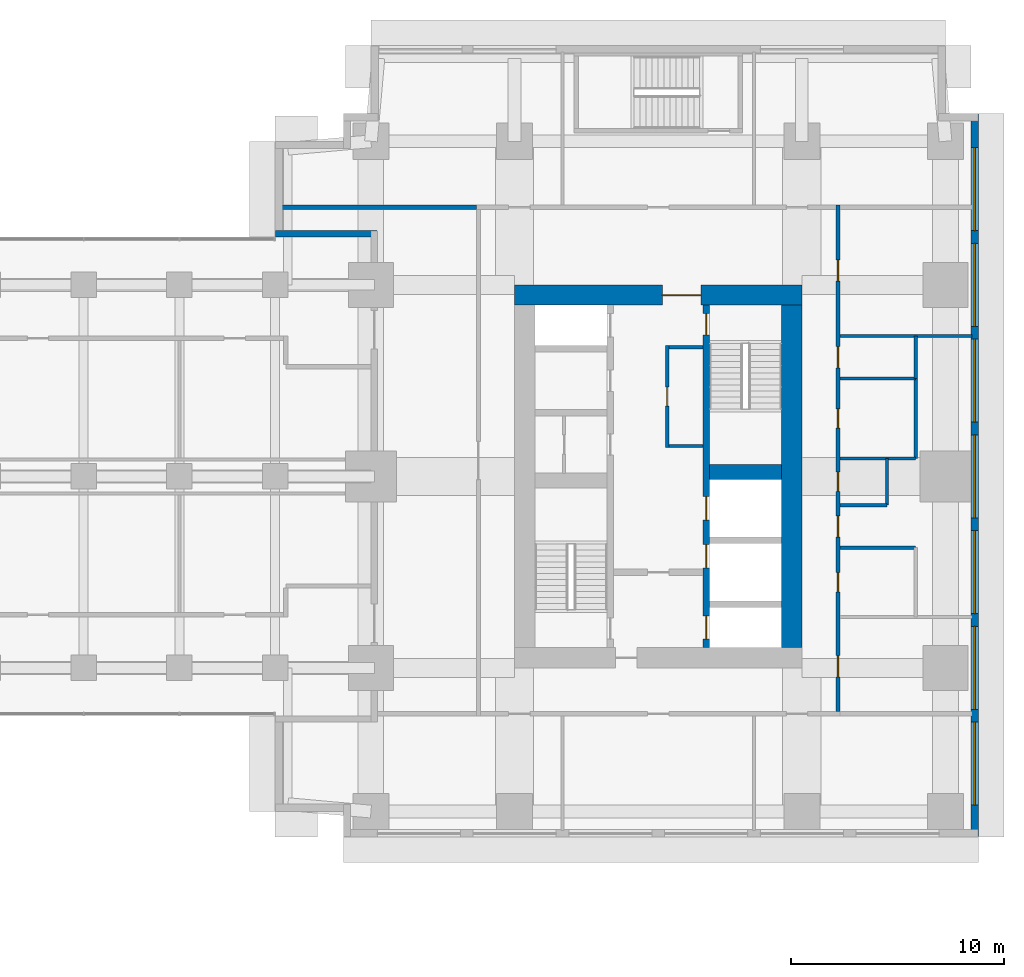
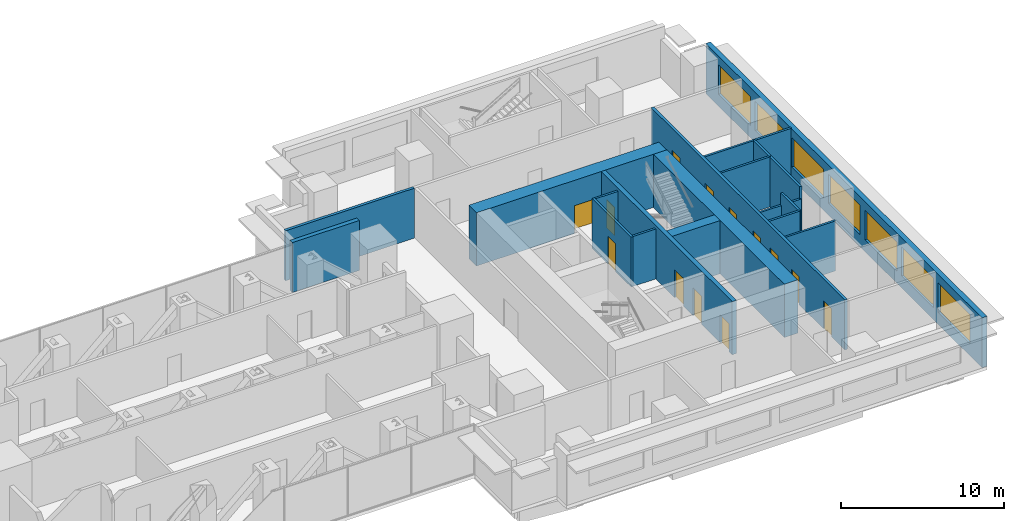
# One storey, part 11 of 16: 19 walls, 13 doors, 7 windows, 20 openings.
"""IFC4 building model written with IfcOpenShell, lengths in metres."""

from ifc_helpers import new_model, si_unit, direction, frame, frame_2d, origin, place, context, subcontext, project, spatial, rectangle, extrude, material, layer, layer_set, type_object, element, fill, save


model = new_model("IFC4")

# Units and contexts
model_context = context("Model", 3, precision=1e-05, world=origin(), true_north=direction((0.0, 1.0)))
body_context = subcontext(model_context, "Body", "Model", "MODEL_VIEW")
ifc_project = project(units=[si_unit("LENGTHUNIT", "METRE"), si_unit("AREAUNIT", "SQUARE_METRE"), si_unit("VOLUMEUNIT", "CUBIC_METRE"), si_unit("PLANEANGLEUNIT", "RADIAN"), si_unit("MASSUNIT", "GRAM", prefix="KILO")], contexts=[model_context])

# Site, building, storey
site_placement = place(None, origin())
site = spatial("IfcSite", under=ifc_project, at=site_placement, CompositionType="ELEMENT")
building_placement = place(site_placement, origin())
building = spatial("IfcBuilding", under=site, at=building_placement, Name="Namib Vertical Campus", CompositionType="ELEMENT")
storey_placement = place(building_placement, frame((0.0, 0.0, 113.0)))
storey = spatial("IfcBuildingStorey", under=building, at=storey_placement, Name="L26", CompositionType="ELEMENT", Elevation=113.0)

# Wall, openings, doors
ifc_material_1 = material(Name="Concrete C60/75", Category="concrete")
ifc_layer_1 = layer(ifc_material_1, 0.300048828125)
ifc_layer_set_1 = layer_set([ifc_layer_1], Name="Concrete C60/75")
wall_type_1 = type_object("IfcWallType", Name="Core inner wall 300", PredefinedType="SHEAR", material=ifc_layer_set_1)
wall_1_placement = place(storey_placement, frame((83.25, 12.199951171875, 0.0), z_axis=(0.0, 0.0, 1.0), x_axis=(0.0, 1.0, 0.0)))
wall_1 = element("IfcWall", 1, at=wall_1_placement, inside=storey, type_object=wall_type_1, Name="Core inner wall B L26 W2", PredefinedType="SHEAR", context=body_context, shape_type="SweptSolid", body=[
    extrude(rectangle(XDim=16.10009765625, YDim=0.300048828125, at=frame_2d((8.050048828125, 0.0))), origin(), (0.0, 0.0, 1.0), 4.0),
])
opening_1_placement = place(wall_1_placement, frame((14.699951171875, 0.0, 0.0)))
opening_1 = element("IfcOpeningElement", 2, at=opening_1_placement, cuts=wall_1, Name="Opening FD1", PredefinedType="OPENING", context=body_context, shape_type="SweptSolid", body=[
    extrude(rectangle(XDim=1.0, YDim=2.10009765625, at=frame_2d((0.5, 1.050048828125))), frame((0.0, 0.159912109375, 0.0), z_axis=(0.0, -1.0, 0.0), x_axis=(1.0, 0.0, 0.0)), (0.0, 0.0, 1.0), 0.320068359375),
])
opening_2_placement = place(wall_1_placement, frame((0.39990234375, 0.0, 0.0)))
opening_2 = element("IfcOpeningElement", 3, at=opening_2_placement, cuts=wall_1, Name="Opening LD1", PredefinedType="OPENING", context=body_context, shape_type="SweptSolid", body=[
    extrude(rectangle(XDim=1.10009765625, YDim=2.10009765625, at=frame_2d((0.550048828125, 1.050048828125))), frame((0.0, 0.159912109375, 0.0), z_axis=(0.0, -1.0, 0.0), x_axis=(1.0, 0.0, 0.0)), (0.0, 0.0, 1.0), 0.320068359375),
])
opening_3_placement = place(wall_1_placement, frame((3.75, 0.0, 0.0)))
opening_3 = element("IfcOpeningElement", 4, at=opening_3_placement, cuts=wall_1, Name="Opening LD1", PredefinedType="OPENING", context=body_context, shape_type="SweptSolid", body=[
    extrude(rectangle(XDim=1.10009765625, YDim=2.10009765625, at=frame_2d((0.550048828125, 1.050048828125))), frame((0.0, 0.159912109375, 0.0), z_axis=(0.0, -1.0, 0.0), x_axis=(1.0, 0.0, 0.0)), (0.0, 0.0, 1.0), 0.320068359375),
])
opening_4_placement = place(wall_1_placement, frame((6.0, 0.0, 0.0)))
opening_4 = element("IfcOpeningElement", 5, at=opening_4_placement, cuts=wall_1, Name="Opening LD1", PredefinedType="OPENING", context=body_context, shape_type="SweptSolid", body=[
    extrude(rectangle(XDim=1.10009765625, YDim=2.10009765625, at=frame_2d((0.550048828125, 1.050048828125))), frame((0.0, 0.159912109375, 0.0), z_axis=(0.0, -1.0, 0.0), x_axis=(1.0, 0.0, 0.0)), (0.0, 0.0, 1.0), 0.320068359375),
])
ifc_material_2 = material(Name="Steel fire door", Category="steel")
door_type_1 = type_object("IfcDoorType", Name="Fire door 1000x2100", OperationType="SINGLE_SWING_RIGHT", PredefinedType="DOOR", material=ifc_material_2)
door_1_placement = place(opening_1_placement, frame((1.0, 0.0, 0.0), z_axis=(0.0, 0.0, 1.0), x_axis=(-1.0, 0.0, 0.0)))
door_1 = element("IfcDoor", 6, at=door_1_placement, inside=storey, type_object=door_type_1, Name="Stair door FD1 B L26 S2", OperationType="SINGLE_SWING_LEFT", OverallHeight=2.10009765625, OverallWidth=1.0, PredefinedType="DOOR", context=body_context, shape_type="SweptSolid", body=[
    extrude(rectangle(XDim=1.0, YDim=2.10009765625, at=frame_2d((0.5, 1.050048828125))), frame((0.0, 0.02490234375, 0.0), z_axis=(0.0, -1.0, 0.0), x_axis=(1.0, 0.0, 0.0)), (0.0, 0.0, 1.0), 0.050048828125),
])
fill(opening_1, door_1)
ifc_material_3 = material(Name="Stainless steel lift door", Category="steel")
door_type_2 = type_object("IfcDoorType", Name="Lift landing door 1100x2100", OperationType="DOUBLE_DOOR_SLIDING", PredefinedType="DOOR", material=ifc_material_3)
door_2_placement = place(opening_2_placement, origin())
door_2 = element("IfcDoor", 7, at=door_2_placement, inside=storey, type_object=door_type_2, Name="Lift landing door LD1 B-FL1 L26", OperationType="DOUBLE_DOOR_SLIDING", OverallHeight=2.10009765625, OverallWidth=1.10009765625, PredefinedType="DOOR", context=body_context, shape_type="SweptSolid", body=[
    extrude(rectangle(XDim=1.10009765625, YDim=2.10009765625, at=frame_2d((0.550048828125, 1.050048828125))), frame((0.0, 0.02490234375, 0.0), z_axis=(0.0, -1.0, 0.0), x_axis=(1.0, 0.0, 0.0)), (0.0, 0.0, 1.0), 0.050048828125),
])
fill(opening_2, door_2)
door_3_placement = place(opening_3_placement, origin())
door_3 = element("IfcDoor", 8, at=door_3_placement, inside=storey, type_object=door_type_2, Name="Lift landing door LD1 B-P4 L26", OperationType="DOUBLE_DOOR_SLIDING", OverallHeight=2.10009765625, OverallWidth=1.10009765625, PredefinedType="DOOR", context=body_context, shape_type="SweptSolid", body=[
    extrude(rectangle(XDim=1.10009765625, YDim=2.10009765625, at=frame_2d((0.550048828125, 1.050048828125))), frame((0.0, 0.02490234375, 0.0), z_axis=(0.0, -1.0, 0.0), x_axis=(1.0, 0.0, 0.0)), (0.0, 0.0, 1.0), 0.050048828125),
])
fill(opening_3, door_3)
door_4_placement = place(opening_4_placement, origin())
door_4 = element("IfcDoor", 9, at=door_4_placement, inside=storey, type_object=door_type_2, Name="Lift landing door LD1 B-P5 L26", OperationType="DOUBLE_DOOR_SLIDING", OverallHeight=2.10009765625, OverallWidth=1.10009765625, PredefinedType="DOOR", context=body_context, shape_type="SweptSolid", body=[
    extrude(rectangle(XDim=1.10009765625, YDim=2.10009765625, at=frame_2d((0.550048828125, 1.050048828125))), frame((0.0, 0.02490234375, 0.0), z_axis=(0.0, -1.0, 0.0), x_axis=(1.0, 0.0, 0.0)), (0.0, 0.0, 1.0), 0.050048828125),
])
fill(opening_4, door_4)

# Walls
ifc_material_4 = material(Name="Concrete C60/75", Category="concrete")
ifc_layer_2 = layer(ifc_material_4, 0.699951171875)
ifc_layer_set_2 = layer_set([ifc_layer_2], Name="Concrete C60/75")
wall_type_2 = type_object("IfcWallType", Name="Core shear wall 700", PredefinedType="SHEAR", material=ifc_layer_set_2)
wall_2_placement = place(storey_placement, frame((83.39990234375, 20.449951171875, 0.0), z_axis=(0.0, 0.0, 1.0), x_axis=(1.0, 0.0, 0.0)))
element("IfcWall", 10, at=wall_2_placement, inside=storey, type_object=wall_type_2, Name="Core shear wall B L26 W7", PredefinedType="SHEAR", context=body_context, shape_type="SweptSolid", body=[
    extrude(rectangle(XDim=3.400146484375, YDim=0.699951171875, at=frame_2d((1.7001953125, 0.0))), origin(), (0.0, 0.0, 1.0), 4.0),
])
ifc_material_5 = material(Name="Concrete C60/75", Category="concrete")
ifc_layer_3 = layer(ifc_material_5, 0.949951171875)
ifc_layer_set_3 = layer_set([ifc_layer_3], Name="Concrete C60/75")
wall_type_3 = type_object("IfcWallType", Name="Core wall 950", PredefinedType="SHEAR", material=ifc_layer_set_3)
wall_3_placement = place(storey_placement, frame((87.27490234375, 12.199951171875, 0.0), z_axis=(0.0, 0.0, 1.0), x_axis=(0.0, 1.0, 0.0)))
element("IfcWall", 11, at=wall_3_placement, inside=storey, type_object=wall_type_3, Name="Core wall B L26 2", PredefinedType="SHEAR", context=body_context, shape_type="SweptSolid", body=[
    extrude(rectangle(XDim=16.10009765625, YDim=0.949951171875, at=frame_2d((8.050048828125, 0.0))), origin(), (0.0, 0.0, 1.0), 4.0),
])

# Wall, opening, door
wall_4_placement = place(storey_placement, frame((87.75, 28.77490234375, 0.0), z_axis=(0.0, 0.0, 1.0), x_axis=(-1.0, 0.0, 0.0)))
wall_4 = element("IfcWall", 12, at=wall_4_placement, inside=storey, type_object=wall_type_3, Name="Core wall B L26 3", PredefinedType="SHEAR", context=body_context, shape_type="SweptSolid", body=[
    extrude(rectangle(XDim=13.5, YDim=0.949951171875, at=frame_2d((6.75, 0.0))), origin(), (0.0, 0.0, 1.0), 4.0),
])
opening_5_placement = place(wall_4_placement, frame((4.75, 0.0, 0.0)))
opening_5 = element("IfcOpeningElement", 13, at=opening_5_placement, cuts=wall_4, Name="Opening FD2", PredefinedType="OPENING", context=body_context, shape_type="SweptSolid", body=[
    extrude(rectangle(XDim=1.800048828125, YDim=2.10009765625, at=frame_2d((0.89990234375, 1.050048828125))), frame((0.0, 0.48486328125, 0.0), z_axis=(0.0, -1.0, 0.0), x_axis=(1.0, 0.0, 0.0)), (0.0, 0.0, 1.0), 0.969970703125),
])
ifc_material_6 = material(Name="Steel fire door", Category="steel")
door_type_3 = type_object("IfcDoorType", Name="Fire door double 1800x2100", OperationType="DOUBLE_DOOR_SINGLE_SWING", PredefinedType="DOOR", material=ifc_material_6)
door_5_placement = place(opening_5_placement, origin())
door_5 = element("IfcDoor", 14, at=door_5_placement, inside=storey, type_object=door_type_3, Name="Lift lobby door FD2 B L26", OperationType="DOUBLE_DOOR_SINGLE_SWING", OverallHeight=2.10009765625, OverallWidth=1.800048828125, PredefinedType="DOOR", context=body_context, shape_type="SweptSolid", body=[
    extrude(rectangle(XDim=1.800048828125, YDim=2.10009765625, at=frame_2d((0.89990234375, 1.050048828125))), frame((0.0, 0.02490234375, 0.0), z_axis=(0.0, -1.0, 0.0), x_axis=(1.0, 0.0, 0.0)), (0.0, 0.0, 1.0), 0.050048828125),
])
fill(opening_5, door_5)

# Wall, openings, doors
ifc_material_7 = material(Name="Concrete masonry", Category="masonry")
ifc_layer_4 = layer(ifc_material_7, 0.199951171875)
ifc_layer_set_4 = layer_set([ifc_layer_4], Name="Corridor wall 200")
wall_type_4 = type_object("IfcWallType", Name="Corridor wall 200", PredefinedType="SOLIDWALL", material=ifc_layer_set_4)
wall_5_placement = place(storey_placement, frame((89.449951171875, 9.199951171875, 0.0), z_axis=(0.0, 0.0, 1.0), x_axis=(0.0, 1.0, 0.0)))
wall_5 = element("IfcWall", 15, at=wall_5_placement, inside=storey, type_object=wall_type_4, Name="Corridor wall B L26 CE", PredefinedType="SOLIDWALL", context=body_context, shape_type="SweptSolid", body=[
    extrude(rectangle(XDim=23.800048828125, YDim=0.199951171875, at=frame_2d((11.89990234375, 0.0))), origin(), (0.0, 0.0, 1.0), 3.75),
])
opening_6_placement = place(wall_5_placement, frame((1.625, 0.0, 0.0)))
opening_6 = element("IfcOpeningElement", 16, at=opening_6_placement, cuts=wall_5, Name="Opening CD1", PredefinedType="OPENING", context=body_context, shape_type="SweptSolid", body=[
    extrude(rectangle(XDim=1.0, YDim=2.10009765625, at=frame_2d((0.5, 1.050048828125))), frame((0.0, 0.10986328125, 0.0), z_axis=(0.0, -1.0, 0.0), x_axis=(1.0, 0.0, 0.0)), (0.0, 0.0, 1.0), 0.219970703125),
])
opening_7_placement = place(wall_5_placement, frame((5.625, 0.0, 0.0)))
opening_7 = element("IfcOpeningElement", 17, at=opening_7_placement, cuts=wall_5, Name="Opening CD3", PredefinedType="OPENING", context=body_context, shape_type="SweptSolid", body=[
    extrude(rectangle(XDim=0.89990234375, YDim=2.10009765625, at=frame_2d((0.449951171875, 1.050048828125))), frame((0.0, 0.10986328125, 0.0), z_axis=(0.0, -1.0, 0.0), x_axis=(1.0, 0.0, 0.0)), (0.0, 0.0, 1.0), 0.219970703125),
])
opening_8_placement = place(wall_5_placement, frame((10.35009765625, 0.0, 0.0)))
opening_8 = element("IfcOpeningElement", 18, at=opening_8_placement, cuts=wall_5, Name="Opening CD3", PredefinedType="OPENING", context=body_context, shape_type="SweptSolid", body=[
    extrude(rectangle(XDim=0.89990234375, YDim=2.10009765625, at=frame_2d((0.449951171875, 1.050048828125))), frame((0.0, 0.10986328125, 0.0), z_axis=(0.0, -1.0, 0.0), x_axis=(1.0, 0.0, 0.0)), (0.0, 0.0, 1.0), 0.219970703125),
])
opening_9_placement = place(wall_5_placement, frame((13.324951171875, 0.0, 0.0)))
opening_9 = element("IfcOpeningElement", 19, at=opening_9_placement, cuts=wall_5, Name="Opening CD3", PredefinedType="OPENING", context=body_context, shape_type="SweptSolid", body=[
    extrude(rectangle(XDim=0.89990234375, YDim=2.10009765625, at=frame_2d((0.449951171875, 1.050048828125))), frame((0.0, 0.10986328125, 0.0), z_axis=(0.0, -1.0, 0.0), x_axis=(1.0, 0.0, 0.0)), (0.0, 0.0, 1.0), 0.219970703125),
])
opening_10_placement = place(wall_5_placement, frame((16.14990234375, 0.0, 0.0)))
opening_10 = element("IfcOpeningElement", 20, at=opening_10_placement, cuts=wall_5, Name="Opening CD1", PredefinedType="OPENING", context=body_context, shape_type="SweptSolid", body=[
    extrude(rectangle(XDim=1.0, YDim=2.10009765625, at=frame_2d((0.5, 1.050048828125))), frame((0.0, 0.10986328125, 0.0), z_axis=(0.0, -1.0, 0.0), x_axis=(1.0, 0.0, 0.0)), (0.0, 0.0, 1.0), 0.219970703125),
])
opening_11_placement = place(wall_5_placement, frame((8.199951171875, 0.0, 0.0)))
opening_11 = element("IfcOpeningElement", 21, at=opening_11_placement, cuts=wall_5, Name="Opening CD1", PredefinedType="OPENING", context=body_context, shape_type="SweptSolid", body=[
    extrude(rectangle(XDim=1.0, YDim=2.10009765625, at=frame_2d((0.5, 1.050048828125))), frame((0.0, 0.10986328125, 0.0), z_axis=(0.0, -1.0, 0.0), x_axis=(1.0, 0.0, 0.0)), (0.0, 0.0, 1.0), 0.219970703125),
])
opening_12_placement = place(wall_5_placement, frame((20.22509765625, 0.0, 0.0)))
opening_12 = element("IfcOpeningElement", 22, at=opening_12_placement, cuts=wall_5, Name="Opening CD1", PredefinedType="OPENING", context=body_context, shape_type="SweptSolid", body=[
    extrude(rectangle(XDim=1.0, YDim=2.10009765625, at=frame_2d((0.5, 1.050048828125))), frame((0.0, 0.10986328125, 0.0), z_axis=(0.0, -1.0, 0.0), x_axis=(1.0, 0.0, 0.0)), (0.0, 0.0, 1.0), 0.219970703125),
])
ifc_material_8 = material(Name="Timber fire door leaf", Category="wood")
door_type_4 = type_object("IfcDoorType", Name="Corridor door 1000x2100 20 min", OperationType="SINGLE_SWING_LEFT", PredefinedType="DOOR", material=ifc_material_8)
door_6_placement = place(opening_6_placement, frame((1.0, 0.0, 0.0), z_axis=(0.0, 0.0, 1.0), x_axis=(-1.0, 0.0, 0.0)))
door_6 = element("IfcDoor", 23, at=door_6_placement, inside=storey, type_object=door_type_4, Name="Door CD1 B26-04", OperationType="SINGLE_SWING_RIGHT", OverallHeight=2.10009765625, OverallWidth=1.0, PredefinedType="DOOR", context=body_context, shape_type="SweptSolid", body=[
    extrude(rectangle(XDim=1.0, YDim=2.10009765625, at=frame_2d((0.5, 1.050048828125))), frame((0.0, 0.02490234375, 0.0), z_axis=(0.0, -1.0, 0.0), x_axis=(1.0, 0.0, 0.0)), (0.0, 0.0, 1.0), 0.050048828125),
])
fill(opening_6, door_6)
door_7_placement = place(opening_10_placement, frame((1.0, 0.0, 0.0), z_axis=(0.0, 0.0, 1.0), x_axis=(-1.0, 0.0, 0.0)))
door_7 = element("IfcDoor", 24, at=door_7_placement, inside=storey, type_object=door_type_4, Name="Door CD1 B26-08", OperationType="SINGLE_SWING_RIGHT", OverallHeight=2.10009765625, OverallWidth=1.0, PredefinedType="DOOR", context=body_context, shape_type="SweptSolid", body=[
    extrude(rectangle(XDim=1.0, YDim=2.10009765625, at=frame_2d((0.5, 1.050048828125))), frame((0.0, 0.02490234375, 0.0), z_axis=(0.0, -1.0, 0.0), x_axis=(1.0, 0.0, 0.0)), (0.0, 0.0, 1.0), 0.050048828125),
])
fill(opening_10, door_7)
door_8_placement = place(opening_11_placement, frame((1.0, 0.0, 0.0), z_axis=(0.0, 0.0, 1.0), x_axis=(-1.0, 0.0, 0.0)))
door_8 = element("IfcDoor", 25, at=door_8_placement, inside=storey, type_object=door_type_4, Name="Door CD1 B26-09", OperationType="SINGLE_SWING_RIGHT", OverallHeight=2.10009765625, OverallWidth=1.0, PredefinedType="DOOR", context=body_context, shape_type="SweptSolid", body=[
    extrude(rectangle(XDim=1.0, YDim=2.10009765625, at=frame_2d((0.5, 1.050048828125))), frame((0.0, 0.02490234375, 0.0), z_axis=(0.0, -1.0, 0.0), x_axis=(1.0, 0.0, 0.0)), (0.0, 0.0, 1.0), 0.050048828125),
])
fill(opening_11, door_8)
door_9_placement = place(opening_12_placement, frame((1.0, 0.0, 0.0), z_axis=(0.0, 0.0, 1.0), x_axis=(-1.0, 0.0, 0.0)))
door_9 = element("IfcDoor", 26, at=door_9_placement, inside=storey, type_object=door_type_4, Name="Door CD1 B26-10", OperationType="SINGLE_SWING_RIGHT", OverallHeight=2.10009765625, OverallWidth=1.0, PredefinedType="DOOR", context=body_context, shape_type="SweptSolid", body=[
    extrude(rectangle(XDim=1.0, YDim=2.10009765625, at=frame_2d((0.5, 1.050048828125))), frame((0.0, 0.02490234375, 0.0), z_axis=(0.0, -1.0, 0.0), x_axis=(1.0, 0.0, 0.0)), (0.0, 0.0, 1.0), 0.050048828125),
])
fill(opening_12, door_9)
ifc_material_9 = material(Name="Timber fire door leaf", Category="wood")
door_type_5 = type_object("IfcDoorType", Name="Corridor toilet door 900x2100 20 min", OperationType="SINGLE_SWING_LEFT", PredefinedType="DOOR", material=ifc_material_9)
door_10_placement = place(opening_7_placement, frame((0.89990234375, 0.0, 0.0), z_axis=(0.0, 0.0, 1.0), x_axis=(-1.0, 0.0, 0.0)))
door_10 = element("IfcDoor", 27, at=door_10_placement, inside=storey, type_object=door_type_5, Name="Door CD3 B26-05", OperationType="SINGLE_SWING_RIGHT", OverallHeight=2.10009765625, OverallWidth=0.89990234375, PredefinedType="DOOR", context=body_context, shape_type="SweptSolid", body=[
    extrude(rectangle(XDim=0.89990234375, YDim=2.10009765625, at=frame_2d((0.449951171875, 1.050048828125))), frame((0.0, 0.02490234375, 0.0), z_axis=(0.0, -1.0, 0.0), x_axis=(1.0, 0.0, 0.0)), (0.0, 0.0, 1.0), 0.050048828125),
])
fill(opening_7, door_10)
door_11_placement = place(opening_8_placement, frame((0.89990234375, 0.0, 0.0), z_axis=(0.0, 0.0, 1.0), x_axis=(-1.0, 0.0, 0.0)))
door_11 = element("IfcDoor", 28, at=door_11_placement, inside=storey, type_object=door_type_5, Name="Door CD3 B26-06", OperationType="SINGLE_SWING_RIGHT", OverallHeight=2.10009765625, OverallWidth=0.89990234375, PredefinedType="DOOR", context=body_context, shape_type="SweptSolid", body=[
    extrude(rectangle(XDim=0.89990234375, YDim=2.10009765625, at=frame_2d((0.449951171875, 1.050048828125))), frame((0.0, 0.02490234375, 0.0), z_axis=(0.0, -1.0, 0.0), x_axis=(1.0, 0.0, 0.0)), (0.0, 0.0, 1.0), 0.050048828125),
])
fill(opening_8, door_11)
door_12_placement = place(opening_9_placement, frame((0.89990234375, 0.0, 0.0), z_axis=(0.0, 0.0, 1.0), x_axis=(-1.0, 0.0, 0.0)))
door_12 = element("IfcDoor", 29, at=door_12_placement, inside=storey, type_object=door_type_5, Name="Door CD3 B26-07", OperationType="SINGLE_SWING_RIGHT", OverallHeight=2.10009765625, OverallWidth=0.89990234375, PredefinedType="DOOR", context=body_context, shape_type="SweptSolid", body=[
    extrude(rectangle(XDim=0.89990234375, YDim=2.10009765625, at=frame_2d((0.449951171875, 1.050048828125))), frame((0.0, 0.02490234375, 0.0), z_axis=(0.0, -1.0, 0.0), x_axis=(1.0, 0.0, 0.0)), (0.0, 0.0, 1.0), 0.050048828125),
])
fill(opening_9, door_12)

# Wall
wall_6_placement = place(storey_placement, frame((63.300048828125, 32.89990234375, 0.0), z_axis=(0.0, 0.0, 1.0), x_axis=(1.0, 0.0, 0.0)))
element("IfcWall", 30, at=wall_6_placement, inside=storey, type_object=wall_type_4, Name="Partition B L26 BNW", PredefinedType="SOLIDWALL", context=body_context, shape_type="SweptSolid", body=[
    extrude(rectangle(XDim=9.14990234375, YDim=0.199951171875, at=frame_2d((4.574951171875, 0.0))), origin(), (0.0, 0.0, 1.0), 3.75),
])

# Wall, openings, windows
ifc_material_10 = material(Name="Concrete C40/50", Category="concrete")
ifc_layer_5 = layer(ifc_material_10, 0.35009765625)
ifc_layer_set_5 = layer_set([ifc_layer_5], Name="Concrete C40/50")
wall_type_5 = type_object("IfcWallType", Name="External wall 350 bush-hammered concrete", PredefinedType="STANDARD", material=ifc_layer_set_5)
wall_7_placement = place(storey_placement, frame((95.875, 3.320068359375, 0.0), z_axis=(0.0, 0.0, 1.0), x_axis=(0.0, 1.0, 0.0)))
wall_7 = element("IfcWall", 31, at=wall_7_placement, inside=storey, type_object=wall_type_5, Name="External wall L26 F05", PredefinedType="STANDARD", context=body_context, shape_type="SweptSolid", body=[
    extrude(rectangle(XDim=33.9599609375, YDim=0.35009765625, at=frame_2d((16.97998046875, 0.0))), origin(), (0.0, 0.0, 1.0), 3.75),
])
opening_13_placement = place(wall_7_placement, frame((1.47998046875, 0.0, 0.89990234375)))
opening_13 = element("IfcOpeningElement", 32, at=opening_13_placement, cuts=wall_7, Name="Opening W1", PredefinedType="OPENING", context=body_context, shape_type="SweptSolid", body=[
    extrude(rectangle(XDim=3.89990234375, YDim=2.199951171875, at=frame_2d((1.949951171875, 1.10009765625))), frame((0.0, 0.18505859375, 0.0), z_axis=(0.0, -1.0, 0.0), x_axis=(1.0, 0.0, 0.0)), (0.0, 0.0, 1.0), 0.3701171875),
])
opening_14_placement = place(wall_7_placement, frame((5.97998046875, 0.0, 0.89990234375)))
opening_14 = element("IfcOpeningElement", 33, at=opening_14_placement, cuts=wall_7, Name="Opening W1", PredefinedType="OPENING", context=body_context, shape_type="SweptSolid", body=[
    extrude(rectangle(XDim=3.89990234375, YDim=2.199951171875, at=frame_2d((1.949951171875, 1.10009765625))), frame((0.0, 0.18505859375, 0.0), z_axis=(0.0, -1.0, 0.0), x_axis=(1.0, 0.0, 0.0)), (0.0, 0.0, 1.0), 0.3701171875),
])
opening_15_placement = place(wall_7_placement, frame((10.47998046875, 0.0, 0.89990234375)))
opening_15 = element("IfcOpeningElement", 34, at=opening_15_placement, cuts=wall_7, Name="Opening W1", PredefinedType="OPENING", context=body_context, shape_type="SweptSolid", body=[
    extrude(rectangle(XDim=3.89990234375, YDim=2.199951171875, at=frame_2d((1.949951171875, 1.10009765625))), frame((0.0, 0.18505859375, 0.0), z_axis=(0.0, -1.0, 0.0), x_axis=(1.0, 0.0, 0.0)), (0.0, 0.0, 1.0), 0.3701171875),
])
opening_16_placement = place(wall_7_placement, frame((14.97998046875, 0.0, 0.89990234375)))
opening_16 = element("IfcOpeningElement", 35, at=opening_16_placement, cuts=wall_7, Name="Opening W1", PredefinedType="OPENING", context=body_context, shape_type="SweptSolid", body=[
    extrude(rectangle(XDim=3.89990234375, YDim=2.199951171875, at=frame_2d((1.949951171875, 1.10009765625))), frame((0.0, 0.18505859375, 0.0), z_axis=(0.0, -1.0, 0.0), x_axis=(1.0, 0.0, 0.0)), (0.0, 0.0, 1.0), 0.3701171875),
])
opening_17_placement = place(wall_7_placement, frame((19.47998046875, 0.0, 0.89990234375)))
opening_17 = element("IfcOpeningElement", 36, at=opening_17_placement, cuts=wall_7, Name="Opening W1", PredefinedType="OPENING", context=body_context, shape_type="SweptSolid", body=[
    extrude(rectangle(XDim=3.89990234375, YDim=2.199951171875, at=frame_2d((1.949951171875, 1.10009765625))), frame((0.0, 0.18505859375, 0.0), z_axis=(0.0, -1.0, 0.0), x_axis=(1.0, 0.0, 0.0)), (0.0, 0.0, 1.0), 0.3701171875),
])
opening_18_placement = place(wall_7_placement, frame((23.97998046875, 0.0, 0.89990234375)))
opening_18 = element("IfcOpeningElement", 37, at=opening_18_placement, cuts=wall_7, Name="Opening W1", PredefinedType="OPENING", context=body_context, shape_type="SweptSolid", body=[
    extrude(rectangle(XDim=3.89990234375, YDim=2.199951171875, at=frame_2d((1.949951171875, 1.10009765625))), frame((0.0, 0.18505859375, 0.0), z_axis=(0.0, -1.0, 0.0), x_axis=(1.0, 0.0, 0.0)), (0.0, 0.0, 1.0), 0.3701171875),
])
opening_19_placement = place(wall_7_placement, frame((28.47998046875, 0.0, 0.89990234375)))
opening_19 = element("IfcOpeningElement", 38, at=opening_19_placement, cuts=wall_7, Name="Opening W1", PredefinedType="OPENING", context=body_context, shape_type="SweptSolid", body=[
    extrude(rectangle(XDim=3.89990234375, YDim=2.199951171875, at=frame_2d((1.949951171875, 1.10009765625))), frame((0.0, 0.18505859375, 0.0), z_axis=(0.0, -1.0, 0.0), x_axis=(1.0, 0.0, 0.0)), (0.0, 0.0, 1.0), 0.3701171875),
])
ifc_material_11 = material(Name="Dark tinted glass in black aluminium frame", Category="aluminium")
window_type = type_object("IfcWindowType", Name="Ribbon window 3900x2200", PartitioningType="SINGLE_PANEL", PredefinedType="WINDOW", material=ifc_material_11)
window_1_placement = place(opening_13_placement, origin())
window_1 = element("IfcWindow", 39, at=window_1_placement, inside=storey, type_object=window_type, Name="Window W1 L26 F05-1", OverallHeight=2.199951171875, OverallWidth=3.89990234375, PartitioningType="SINGLE_PANEL", PredefinedType="WINDOW", context=body_context, shape_type="SweptSolid", body=[
    extrude(rectangle(XDim=3.89990234375, YDim=2.199951171875, at=frame_2d((1.949951171875, 1.10009765625))), frame((0.0, 0.030029296875, 0.0), z_axis=(0.0, -1.0, 0.0), x_axis=(1.0, 0.0, 0.0)), (0.0, 0.0, 1.0), 0.06005859375),
])
fill(opening_13, window_1)
window_2_placement = place(opening_14_placement, origin())
window_2 = element("IfcWindow", 40, at=window_2_placement, inside=storey, type_object=window_type, Name="Window W1 L26 F05-2", OverallHeight=2.199951171875, OverallWidth=3.89990234375, PartitioningType="SINGLE_PANEL", PredefinedType="WINDOW", context=body_context, shape_type="SweptSolid", body=[
    extrude(rectangle(XDim=3.89990234375, YDim=2.199951171875, at=frame_2d((1.949951171875, 1.10009765625))), frame((0.0, 0.030029296875, 0.0), z_axis=(0.0, -1.0, 0.0), x_axis=(1.0, 0.0, 0.0)), (0.0, 0.0, 1.0), 0.06005859375),
])
fill(opening_14, window_2)
window_3_placement = place(opening_15_placement, origin())
window_3 = element("IfcWindow", 41, at=window_3_placement, inside=storey, type_object=window_type, Name="Window W1 L26 F05-3", OverallHeight=2.199951171875, OverallWidth=3.89990234375, PartitioningType="SINGLE_PANEL", PredefinedType="WINDOW", context=body_context, shape_type="SweptSolid", body=[
    extrude(rectangle(XDim=3.89990234375, YDim=2.199951171875, at=frame_2d((1.949951171875, 1.10009765625))), frame((0.0, 0.030029296875, 0.0), z_axis=(0.0, -1.0, 0.0), x_axis=(1.0, 0.0, 0.0)), (0.0, 0.0, 1.0), 0.06005859375),
])
fill(opening_15, window_3)
window_4_placement = place(opening_16_placement, origin())
window_4 = element("IfcWindow", 42, at=window_4_placement, inside=storey, type_object=window_type, Name="Window W1 L26 F05-4", OverallHeight=2.199951171875, OverallWidth=3.89990234375, PartitioningType="SINGLE_PANEL", PredefinedType="WINDOW", context=body_context, shape_type="SweptSolid", body=[
    extrude(rectangle(XDim=3.89990234375, YDim=2.199951171875, at=frame_2d((1.949951171875, 1.10009765625))), frame((0.0, 0.030029296875, 0.0), z_axis=(0.0, -1.0, 0.0), x_axis=(1.0, 0.0, 0.0)), (0.0, 0.0, 1.0), 0.06005859375),
])
fill(opening_16, window_4)
window_5_placement = place(opening_17_placement, origin())
window_5 = element("IfcWindow", 43, at=window_5_placement, inside=storey, type_object=window_type, Name="Window W1 L26 F05-5", OverallHeight=2.199951171875, OverallWidth=3.89990234375, PartitioningType="SINGLE_PANEL", PredefinedType="WINDOW", context=body_context, shape_type="SweptSolid", body=[
    extrude(rectangle(XDim=3.89990234375, YDim=2.199951171875, at=frame_2d((1.949951171875, 1.10009765625))), frame((0.0, 0.030029296875, 0.0), z_axis=(0.0, -1.0, 0.0), x_axis=(1.0, 0.0, 0.0)), (0.0, 0.0, 1.0), 0.06005859375),
])
fill(opening_17, window_5)
window_6_placement = place(opening_18_placement, origin())
window_6 = element("IfcWindow", 44, at=window_6_placement, inside=storey, type_object=window_type, Name="Window W1 L26 F05-6", OverallHeight=2.199951171875, OverallWidth=3.89990234375, PartitioningType="SINGLE_PANEL", PredefinedType="WINDOW", context=body_context, shape_type="SweptSolid", body=[
    extrude(rectangle(XDim=3.89990234375, YDim=2.199951171875, at=frame_2d((1.949951171875, 1.10009765625))), frame((0.0, 0.030029296875, 0.0), z_axis=(0.0, -1.0, 0.0), x_axis=(1.0, 0.0, 0.0)), (0.0, 0.0, 1.0), 0.06005859375),
])
fill(opening_18, window_6)
window_7_placement = place(opening_19_placement, origin())
window_7 = element("IfcWindow", 45, at=window_7_placement, inside=storey, type_object=window_type, Name="Window W1 L26 F05-7", OverallHeight=2.199951171875, OverallWidth=3.89990234375, PartitioningType="SINGLE_PANEL", PredefinedType="WINDOW", context=body_context, shape_type="SweptSolid", body=[
    extrude(rectangle(XDim=3.89990234375, YDim=2.199951171875, at=frame_2d((1.949951171875, 1.10009765625))), frame((0.0, 0.030029296875, 0.0), z_axis=(0.0, -1.0, 0.0), x_axis=(1.0, 0.0, 0.0)), (0.0, 0.0, 1.0), 0.06005859375),
])
fill(opening_19, window_7)

# Wall
ifc_material_12 = material(Name="Concrete masonry", Category="masonry")
ifc_layer_6 = layer(ifc_material_12, 0.300048828125)
ifc_layer_set_6 = layer_set([ifc_layer_6], Name="Fire wall 300")
wall_type_6 = type_object("IfcWallType", Name="Fire wall 300", PredefinedType="SOLIDWALL", material=ifc_layer_set_6)
wall_8_placement = place(storey_placement, frame((63.02001953125, 31.64990234375, 0.0), z_axis=(0.0, 0.0, 1.0), x_axis=(1.0, 0.0, 0.0)))
element("IfcWall", 46, at=wall_8_placement, inside=storey, type_object=wall_type_6, Name="External wall L26 F14", PredefinedType="SOLIDWALL", context=body_context, shape_type="SweptSolid", body=[
    extrude(rectangle(XDim=4.760009765625, YDim=0.300048828125, at=frame_2d((2.3798828125, 0.0))), origin(), (0.0, 0.0, 1.0), 3.75),
])

# Wall, opening, door
ifc_material_13 = material(Name="Gypsum board on steel studs", Category="steel")
ifc_layer_7 = layer(ifc_material_13, 0.14990234375)
ifc_layer_set_7 = layer_set([ifc_layer_7], Name="Gypsum board on steel studs")
wall_type_7 = type_object("IfcWallType", Name="Partition 150", PredefinedType="PARTITIONING", material=ifc_layer_set_7)
wall_9_placement = place(storey_placement, frame((81.425048828125, 21.60009765625, 0.0), z_axis=(0.0, 0.0, 1.0), x_axis=(0.0, 1.0, 0.0)))
wall_9 = element("IfcWall", 47, at=wall_9_placement, inside=storey, type_object=wall_type_7, Name="Partition B L26 Staff pantry front", PredefinedType="PARTITIONING", context=body_context, shape_type="SweptSolid", body=[
    extrude(rectangle(XDim=4.7998046875, YDim=0.14990234375, at=frame_2d((2.39990234375, 0.0))), origin(), (0.0, 0.0, 1.0), 3.75),
])
opening_20_placement = place(wall_9_placement, frame((1.949951171875, 0.0, 0.0)))
opening_20 = element("IfcOpeningElement", 48, at=opening_20_placement, cuts=wall_9, Name="Opening D3", PredefinedType="OPENING", context=body_context, shape_type="SweptSolid", body=[
    extrude(rectangle(XDim=0.89990234375, YDim=2.10009765625, at=frame_2d((0.449951171875, 1.050048828125))), frame((0.0, 0.0849609375, 0.0), z_axis=(0.0, -1.0, 0.0), x_axis=(1.0, 0.0, 0.0)), (0.0, 0.0, 1.0), 0.169921875),
])
ifc_material_14 = material(Name="Timber door leaf", Category="wood")
door_type_6 = type_object("IfcDoorType", Name="Toilet door 900x2100", OperationType="SINGLE_SWING_LEFT", PredefinedType="DOOR", material=ifc_material_14)
door_13_placement = place(opening_20_placement, frame((0.89990234375, 0.0, 0.0), z_axis=(0.0, 0.0, 1.0), x_axis=(-1.0, 0.0, 0.0)))
door_13 = element("IfcDoor", 49, at=door_13_placement, inside=storey, type_object=door_type_6, Name="Door D3 Staff pantry B L26", OperationType="SINGLE_SWING_RIGHT", OverallHeight=2.10009765625, OverallWidth=0.89990234375, PredefinedType="DOOR", context=body_context, shape_type="SweptSolid", body=[
    extrude(rectangle(XDim=0.89990234375, YDim=2.10009765625, at=frame_2d((0.449951171875, 1.050048828125))), frame((0.0, 0.02490234375, 0.0), z_axis=(0.0, -1.0, 0.0), x_axis=(1.0, 0.0, 0.0)), (0.0, 0.0, 1.0), 0.050048828125),
])
fill(opening_20, door_13)

# Walls
for number, where, z_axis, x_axis, name in (
    (50, (81.5, 21.675048828125, 0.0), (0.0, 0.0, 1.0), (1.0, 0.0, 0.0), "Partition B L26 Staff pantry end 1"),
    (51, (81.5, 26.324951171875, 0.0), (0.0, 0.0, 1.0), (1.0, 0.0, 0.0), "Partition B L26 Staff pantry end 2"),
):
    element("IfcWall", number, at=place(storey_placement, frame(where, z_axis=z_axis, x_axis=x_axis)), inside=storey, type_object=wall_type_7, Name=name, PredefinedType="PARTITIONING", context=body_context, shape_type="SweptSolid", body=[
        extrude(rectangle(XDim=1.60009765625, YDim=0.14990234375, at=frame_2d((0.800048828125, 0.0))), origin(), (0.0, 0.0, 1.0), 3.75),
    ])
wall_10_placement = place(storey_placement, frame((89.550048828125, 26.85009765625, 0.0), z_axis=(0.0, 0.0, 1.0), x_axis=(1.0, 0.0, 0.0)))
element("IfcWall", 52, at=wall_10_placement, inside=storey, type_object=wall_type_7, Name="Partition B L26 PE2", PredefinedType="PARTITIONING", context=body_context, shape_type="SweptSolid", body=[
    extrude(rectangle(XDim=6.199951171875, YDim=0.14990234375, at=frame_2d((3.10009765625, 0.0))), origin(), (0.0, 0.0, 1.0), 3.75),
])
wall_11_placement = place(storey_placement, frame((89.550048828125, 16.89990234375, 0.0), z_axis=(0.0, 0.0, 1.0), x_axis=(1.0, 0.0, 0.0)))
element("IfcWall", 53, at=wall_11_placement, inside=storey, type_object=wall_type_7, Name="Partition B L26 WR1", PredefinedType="PARTITIONING", context=body_context, shape_type="SweptSolid", body=[
    extrude(rectangle(XDim=3.550048828125, YDim=0.14990234375, at=frame_2d((1.77490234375, 0.0))), origin(), (0.0, 0.0, 1.0), 3.75),
])
wall_12_placement = place(storey_placement, frame((89.550048828125, 18.89990234375, 0.0), z_axis=(0.0, 0.0, 1.0), x_axis=(1.0, 0.0, 0.0)))
element("IfcWall", 54, at=wall_12_placement, inside=storey, type_object=wall_type_7, Name="Partition B L26 WR2", PredefinedType="PARTITIONING", context=body_context, shape_type="SweptSolid", body=[
    extrude(rectangle(XDim=2.199951171875, YDim=0.14990234375, at=frame_2d((1.10009765625, 0.0))), origin(), (0.0, 0.0, 1.0), 3.75),
])
wall_13_placement = place(storey_placement, frame((89.550048828125, 21.10009765625, 0.0), z_axis=(0.0, 0.0, 1.0), x_axis=(1.0, 0.0, 0.0)))
element("IfcWall", 55, at=wall_13_placement, inside=storey, type_object=wall_type_7, Name="Partition B L26 WR3", PredefinedType="PARTITIONING", context=body_context, shape_type="SweptSolid", body=[
    extrude(rectangle(XDim=3.550048828125, YDim=0.14990234375, at=frame_2d((1.77490234375, 0.0))), origin(), (0.0, 0.0, 1.0), 2.85009765625),
])
wall_14_placement = place(storey_placement, frame((89.550048828125, 24.85009765625, 0.0), z_axis=(0.0, 0.0, 1.0), x_axis=(1.0, 0.0, 0.0)))
element("IfcWall", 56, at=wall_14_placement, inside=storey, type_object=wall_type_7, Name="Partition B L26 WR4", PredefinedType="PARTITIONING", context=body_context, shape_type="SweptSolid", body=[
    extrude(rectangle(XDim=3.550048828125, YDim=0.14990234375, at=frame_2d((1.77490234375, 0.0))), origin(), (0.0, 0.0, 1.0), 3.75),
])
wall_15_placement = place(storey_placement, frame((91.75, 18.89990234375, 0.0), z_axis=(0.0, 0.0, 1.0), x_axis=(0.0, 1.0, 0.0)))
element("IfcWall", 57, at=wall_15_placement, inside=storey, type_object=wall_type_7, Name="Partition B L26 WB2", PredefinedType="PARTITIONING", context=body_context, shape_type="SweptSolid", body=[
    extrude(rectangle(XDim=2.2001953125, YDim=0.14990234375, at=frame_2d((1.10009765625, 0.0))), origin(), (0.0, 0.0, 1.0), 3.75),
])
wall_16_placement = place(storey_placement, frame((93.10009765625, 21.10009765625, 0.0), z_axis=(0.0, 0.0, 1.0), x_axis=(0.0, 1.0, 0.0)))
element("IfcWall", 58, at=wall_16_placement, inside=storey, type_object=wall_type_7, Name="Partition B L26 WB3", PredefinedType="PARTITIONING", context=body_context, shape_type="SweptSolid", body=[
    extrude(rectangle(XDim=3.75, YDim=0.14990234375, at=frame_2d((1.875, 0.0))), origin(), (0.0, 0.0, 1.0), 3.75),
])
wall_17_placement = place(storey_placement, frame((93.10009765625, 24.85009765625, 0.0), z_axis=(0.0, 0.0, 1.0), x_axis=(0.0, 1.0, 0.0)))
element("IfcWall", 59, at=wall_17_placement, inside=storey, type_object=wall_type_7, Name="Partition B L26 WB4", PredefinedType="PARTITIONING", context=body_context, shape_type="SweptSolid", body=[
    extrude(rectangle(XDim=2.0, YDim=0.14990234375, at=frame_2d((1.0, 0.0))), origin(), (0.0, 0.0, 1.0), 3.75),
])

save(model, "model.ifc")
